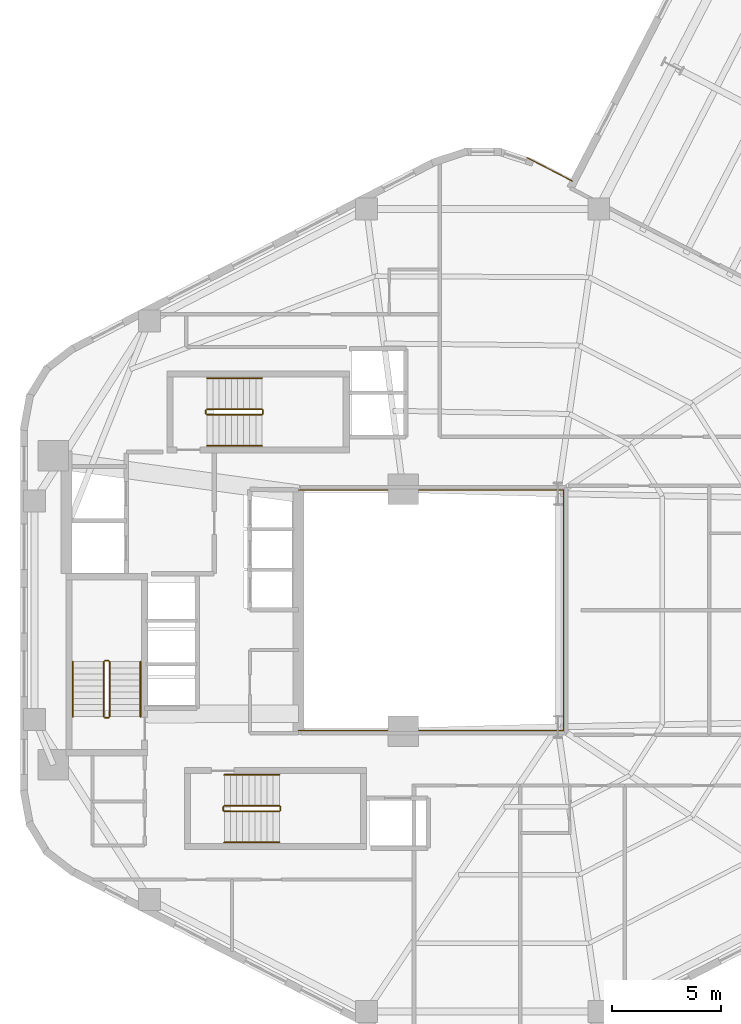
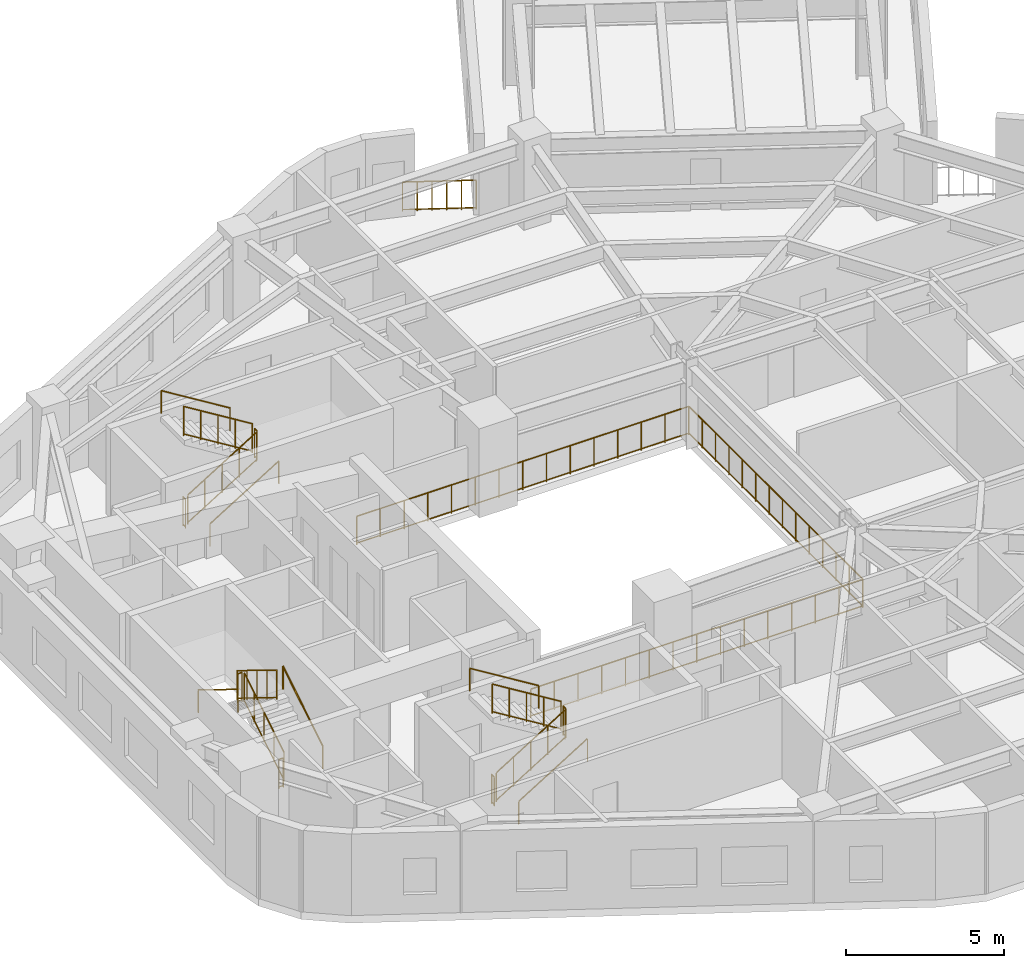
# One storey, part 9 of 10: 20 railings.
"""IFC4 building model written with IfcOpenShell, lengths in metres."""

from ifc_helpers import new_model, si_unit, direction, frame, origin, origin_2d, place, context, subcontext, project, spatial, circle, extrude, material, type_object, element, save


model = new_model("IFC4")

# Units and contexts
model_context = context("Model", 3, precision=1e-05, world=origin(), true_north=direction((0.0, 1.0)))
body_context = subcontext(model_context, "Body", "Model", "MODEL_VIEW")
ifc_project = project(units=[si_unit("LENGTHUNIT", "METRE"), si_unit("AREAUNIT", "SQUARE_METRE"), si_unit("VOLUMEUNIT", "CUBIC_METRE"), si_unit("PLANEANGLEUNIT", "RADIAN"), si_unit("MASSUNIT", "GRAM", prefix="KILO"), si_unit("THERMODYNAMICTEMPERATUREUNIT", "KELVIN"), si_unit("POWERUNIT", "WATT")], contexts=[model_context])

# Site, building, storey
site_placement = place(None, origin())
site = spatial("IfcSite", under=ifc_project, at=site_placement, CompositionType="ELEMENT")
building_placement = place(site_placement, origin())
building = spatial("IfcBuilding", under=site, at=building_placement, Name="Skarre Station Tower", CompositionType="ELEMENT")
storey_placement = place(building_placement, frame((0.0, 0.0, 111.89990234375)))
storey = spatial("IfcBuildingStorey", under=building, at=storey_placement, Name="L29", CompositionType="ELEMENT", Elevation=111.89990234375)

# Railings
ifc_material_1 = material(Name="Bronze Anodized Steel & Laminated Glass Balustrade", Category="steel")
railing_type_1 = type_object("IfcRailingType", Name="Atrium Void & Mezzanine Guard Balustrade 1120", PredefinedType="GUARDRAIL", material=ifc_material_1)
railing_1_placement = place(storey_placement, frame((27.550048828125, 18.47998046875, 0.0)))
element("IfcRailing", 1, at=railing_1_placement, inside=storey, type_object=railing_type_1, Name="L29 Atrium Void Guard Balustrade", PredefinedType="GUARDRAIL", context=body_context, shape_type="SweptSolid", body=[
    extrude(circle(Radius=0.02392578125, at=origin_2d()), frame((0.0, 0.0, 1.09619140625), z_axis=(1.0, 0.0, 0.0), x_axis=(0.0, 1.0, 0.0)), (0.0, 0.0, 1.0), 12.169921875),
    extrude(circle(Radius=0.02099609375, at=origin_2d()), frame((0.0, 0.0, 0.06005859375), z_axis=(1.0, 0.0, 0.0), x_axis=(0.0, 1.0, 0.0)), (0.0, 0.0, 1.0), 12.169921875),
    extrude(circle(Radius=0.02392578125, at=origin_2d()), frame((12.169921875, 0.0, 1.09619140625), z_axis=(0.0, 1.0, 0.0), x_axis=(-1.0, 0.0, 0.0)), (0.0, 0.0, 1.0), 11.0400390625),
    extrude(circle(Radius=0.02099609375, at=origin_2d()), frame((12.169921875, 0.0, 0.06005859375), z_axis=(0.0, 1.0, 0.0), x_axis=(-1.0, 0.0, 0.0)), (0.0, 0.0, 1.0), 11.0400390625),
    extrude(circle(Radius=0.02392578125, at=origin_2d()), frame((12.169921875, 11.0400390625, 1.09619140625), z_axis=(-1.0, 0.0, 0.0), x_axis=(0.0, -1.0, 0.0)), (0.0, 0.0, 1.0), 12.169921875),
    extrude(circle(Radius=0.02099609375, at=origin_2d()), frame((12.169921875, 11.0400390625, 0.06005859375), z_axis=(-1.0, 0.0, 0.0), x_axis=(0.0, -1.0, 0.0)), (0.0, 0.0, 1.0), 12.169921875),
    extrude(circle(Radius=0.02099609375, at=origin_2d()), origin(), (0.0, 0.0, 1.0), 1.072021484375),
    extrude(circle(Radius=0.02099609375, at=origin_2d()), frame((0.869384765625, 0.0, 0.0)), (0.0, 0.0, 1.0), 1.072021484375),
    extrude(circle(Radius=0.02099609375, at=origin_2d()), frame((1.738525390625, 0.0, 0.0)), (0.0, 0.0, 1.0), 1.072021484375),
    extrude(circle(Radius=0.02099609375, at=origin_2d()), frame((2.60791015625, 0.0, 0.0)), (0.0, 0.0, 1.0), 1.072021484375),
    extrude(circle(Radius=0.02099609375, at=origin_2d()), frame((3.47705078125, 0.0, 0.0)), (0.0, 0.0, 1.0), 1.072021484375),
    extrude(circle(Radius=0.02099609375, at=origin_2d()), frame((4.346435546875, 0.0, 0.0)), (0.0, 0.0, 1.0), 1.072021484375),
    extrude(circle(Radius=0.02099609375, at=origin_2d()), frame((5.215576171875, 0.0, 0.0)), (0.0, 0.0, 1.0), 1.072021484375),
    extrude(circle(Radius=0.02099609375, at=origin_2d()), frame((6.0849609375, 0.0, 0.0)), (0.0, 0.0, 1.0), 1.072021484375),
    extrude(circle(Radius=0.02099609375, at=origin_2d()), frame((6.954345703125, 0.0, 0.0)), (0.0, 0.0, 1.0), 1.072021484375),
    extrude(circle(Radius=0.02099609375, at=origin_2d()), frame((7.823486328125, 0.0, 0.0)), (0.0, 0.0, 1.0), 1.072021484375),
    extrude(circle(Radius=0.02099609375, at=origin_2d()), frame((8.69287109375, 0.0, 0.0)), (0.0, 0.0, 1.0), 1.072021484375),
    extrude(circle(Radius=0.02099609375, at=origin_2d()), frame((9.56201171875, 0.0, 0.0)), (0.0, 0.0, 1.0), 1.072021484375),
    extrude(circle(Radius=0.02099609375, at=origin_2d()), frame((10.431396484375, 0.0, 0.0)), (0.0, 0.0, 1.0), 1.072021484375),
    extrude(circle(Radius=0.02099609375, at=origin_2d()), frame((11.300537109375, 0.0, 0.0)), (0.0, 0.0, 1.0), 1.072021484375),
    extrude(circle(Radius=0.02099609375, at=origin_2d()), frame((12.169921875, 0.0, 0.0)), (0.0, 0.0, 1.0), 1.072021484375),
    extrude(circle(Radius=0.02099609375, at=origin_2d()), frame((12.169921875, 0.84912109375, 0.0)), (0.0, 0.0, 1.0), 1.072021484375),
    extrude(circle(Radius=0.02099609375, at=origin_2d()), frame((12.169921875, 1.698486328125, 0.0)), (0.0, 0.0, 1.0), 1.072021484375),
    extrude(circle(Radius=0.02099609375, at=origin_2d()), frame((12.169921875, 2.547607421875, 0.0)), (0.0, 0.0, 1.0), 1.072021484375),
    extrude(circle(Radius=0.02099609375, at=origin_2d()), frame((12.169921875, 3.39697265625, 0.0)), (0.0, 0.0, 1.0), 1.072021484375),
    extrude(circle(Radius=0.02099609375, at=origin_2d()), frame((12.169921875, 4.24609375, 0.0)), (0.0, 0.0, 1.0), 1.072021484375),
    extrude(circle(Radius=0.02099609375, at=origin_2d()), frame((12.169921875, 5.095458984375, 0.0)), (0.0, 0.0, 1.0), 1.072021484375),
    extrude(circle(Radius=0.02099609375, at=origin_2d()), frame((12.169921875, 5.944580078125, 0.0)), (0.0, 0.0, 1.0), 1.072021484375),
    extrude(circle(Radius=0.02099609375, at=origin_2d()), frame((12.169921875, 6.7939453125, 0.0)), (0.0, 0.0, 1.0), 1.072021484375),
    extrude(circle(Radius=0.02099609375, at=origin_2d()), frame((12.169921875, 7.64306640625, 0.0)), (0.0, 0.0, 1.0), 1.072021484375),
    extrude(circle(Radius=0.02099609375, at=origin_2d()), frame((12.169921875, 8.492431640625, 0.0)), (0.0, 0.0, 1.0), 1.072021484375),
    extrude(circle(Radius=0.02099609375, at=origin_2d()), frame((12.169921875, 9.341552734375, 0.0)), (0.0, 0.0, 1.0), 1.072021484375),
    extrude(circle(Radius=0.02099609375, at=origin_2d()), frame((12.169921875, 10.19091796875, 0.0)), (0.0, 0.0, 1.0), 1.072021484375),
    extrude(circle(Radius=0.02099609375, at=origin_2d()), frame((12.169921875, 11.0400390625, 0.0)), (0.0, 0.0, 1.0), 1.072021484375),
    extrude(circle(Radius=0.02099609375, at=origin_2d()), frame((11.300537109375, 11.0400390625, 0.0)), (0.0, 0.0, 1.0), 1.072021484375),
    extrude(circle(Radius=0.02099609375, at=origin_2d()), frame((10.431396484375, 11.0400390625, 0.0)), (0.0, 0.0, 1.0), 1.072021484375),
    extrude(circle(Radius=0.02099609375, at=origin_2d()), frame((9.56201171875, 11.0400390625, 0.0)), (0.0, 0.0, 1.0), 1.072021484375),
    extrude(circle(Radius=0.02099609375, at=origin_2d()), frame((8.69287109375, 11.0400390625, 0.0)), (0.0, 0.0, 1.0), 1.072021484375),
    extrude(circle(Radius=0.02099609375, at=origin_2d()), frame((7.823486328125, 11.0400390625, 0.0)), (0.0, 0.0, 1.0), 1.072021484375),
    extrude(circle(Radius=0.02099609375, at=origin_2d()), frame((6.954345703125, 11.0400390625, 0.0)), (0.0, 0.0, 1.0), 1.072021484375),
    extrude(circle(Radius=0.02099609375, at=origin_2d()), frame((6.0849609375, 11.0400390625, 0.0)), (0.0, 0.0, 1.0), 1.072021484375),
    extrude(circle(Radius=0.02099609375, at=origin_2d()), frame((5.215576171875, 11.0400390625, 0.0)), (0.0, 0.0, 1.0), 1.072021484375),
    extrude(circle(Radius=0.02099609375, at=origin_2d()), frame((4.346435546875, 11.0400390625, 0.0)), (0.0, 0.0, 1.0), 1.072021484375),
    extrude(circle(Radius=0.02099609375, at=origin_2d()), frame((3.47705078125, 11.0400390625, 0.0)), (0.0, 0.0, 1.0), 1.072021484375),
    extrude(circle(Radius=0.02099609375, at=origin_2d()), frame((2.60791015625, 11.0400390625, 0.0)), (0.0, 0.0, 1.0), 1.072021484375),
    extrude(circle(Radius=0.02099609375, at=origin_2d()), frame((1.738525390625, 11.0400390625, 0.0)), (0.0, 0.0, 1.0), 1.072021484375),
    extrude(circle(Radius=0.02099609375, at=origin_2d()), frame((0.869384765625, 11.0400390625, 0.0)), (0.0, 0.0, 1.0), 1.072021484375),
    extrude(circle(Radius=0.02099609375, at=origin_2d()), frame((0.0, 11.0400390625, 0.0)), (0.0, 0.0, 1.0), 1.072021484375),
])
ifc_material_2 = material(Name="Stainless Steel Grade 316L & Laminated Safety Glass", Category="steel")
railing_type_2 = type_object("IfcRailingType", Name="Laminated Glass & Stainless Terrace Guardrail 1150", PredefinedType="BALUSTRADE", material=ifc_material_2)
railing_2_placement = place(storey_placement, frame((38.032958984375, 44.77294921875, 0.0)))
element("IfcRailing", 2, at=railing_2_placement, inside=storey, type_object=railing_type_2, Name="L29 SB-2 Shoulder Ledge Guardrail 1", PredefinedType="BALUSTRADE", context=body_context, shape_type="SweptSolid", body=[
    extrude(circle(Radius=0.02392578125, at=origin_2d()), frame((0.0, 0.0, 1.1259765625), z_axis=(0.888564539427, -0.458751631356, 0.0), x_axis=(0.458751631356, 0.888564539427, 0.0)), (0.0, 0.0, 1.0), 2.345458984375),
    extrude(circle(Radius=0.02099609375, at=origin_2d()), frame((0.0, 0.0, 0.06005859375), z_axis=(0.888564539427, -0.458751631356, 0.0), x_axis=(0.458751631356, 0.888564539427, 0.0)), (0.0, 0.0, 1.0), 2.345458984375),
    extrude(circle(Radius=0.02099609375, at=origin_2d()), origin(), (0.0, 0.0, 1.0), 1.101806640625),
    extrude(circle(Radius=0.02099609375, at=origin_2d()), frame((0.416748046875, -0.215087890625, 0.0)), (0.0, 0.0, 1.0), 1.101806640625),
    extrude(circle(Radius=0.02099609375, at=origin_2d()), frame((0.83349609375, -0.430419921875, 0.0)), (0.0, 0.0, 1.0), 1.101806640625),
    extrude(circle(Radius=0.02099609375, at=origin_2d()), frame((1.25048828125, -0.6455078125, 0.0)), (0.0, 0.0, 1.0), 1.101806640625),
    extrude(circle(Radius=0.02099609375, at=origin_2d()), frame((1.667236328125, -0.86083984375, 0.0)), (0.0, 0.0, 1.0), 1.101806640625),
    extrude(circle(Radius=0.02099609375, at=origin_2d()), frame((2.083984375, -1.075927734375, 0.0)), (0.0, 0.0, 1.0), 1.101806640625),
])
ifc_material_3 = material(Name="Powder-Coated Tubular Steel", Category="steel")
railing_type_3 = type_object("IfcRailingType", Name="Painted Steel Ramp & Stair Handrail 920", PredefinedType="HANDRAIL", material=ifc_material_3)
railing_3_placement = place(storey_placement, frame((20.300048828125, 19.1201171875, 0.172607421875)))
element("IfcRailing", 3, at=railing_3_placement, inside=storey, type_object=railing_type_3, Name="L29 ST-1 stair handrail 1", PredefinedType="HANDRAIL", context=body_context, shape_type="SweptSolid", body=[
    extrude(circle(Radius=0.02392578125, at=origin_2d()), frame((0.0, 0.0, 0.8759765625), z_axis=(0.0, 0.851377800117, 0.52455299205), x_axis=(-1.0, 0.0, 0.0)), (0.0, 0.0, 1.0), 2.959716796875),
    extrude(circle(Radius=0.02099609375, at=origin_2d()), origin(), (0.0, 0.0, 1.0), 0.851806640625),
    extrude(circle(Radius=0.02099609375, at=origin_2d()), frame((0.0, 2.519775390625, 1.552490234375)), (0.0, 0.0, 1.0), 0.851806640625),
])
railing_4_placement = place(storey_placement, frame((17.199951171875, 21.639892578125, 1.897705078125)))
element("IfcRailing", 4, at=railing_4_placement, inside=storey, type_object=railing_type_3, Name="L29 ST-1 stair handrail 2", PredefinedType="HANDRAIL", context=body_context, shape_type="SweptSolid", body=[
    extrude(circle(Radius=0.02392578125, at=origin_2d()), frame((0.0, 0.0, 0.8759765625), z_axis=(0.0, -0.851377800117, 0.52455299205), x_axis=(1.0, 0.0, 0.0)), (0.0, 0.0, 1.0), 2.959716796875),
    extrude(circle(Radius=0.02099609375, at=origin_2d()), origin(), (0.0, 0.0, 1.0), 0.851806640625),
    extrude(circle(Radius=0.02099609375, at=origin_2d()), frame((0.0, -2.519775390625, 1.552490234375)), (0.0, 0.0, 1.0), 0.851806640625),
])
railing_5_placement = place(storey_placement, frame((24.14990234375, 13.35009765625, 0.172607421875)))
element("IfcRailing", 5, at=railing_5_placement, inside=storey, type_object=railing_type_3, Name="L29 ST-2 stair handrail 1", PredefinedType="HANDRAIL", context=body_context, shape_type="SweptSolid", body=[
    extrude(circle(Radius=0.02392578125, at=origin_2d()), frame((0.0, 0.0, 0.8759765625), z_axis=(0.851400495292, 0.0, 0.524516154772), x_axis=(0.0, 1.0, 0.0)), (0.0, 0.0, 1.0), 2.9599609375),
    extrude(circle(Radius=0.02099609375, at=origin_2d()), origin(), (0.0, 0.0, 1.0), 0.851806640625),
    extrude(circle(Radius=0.02099609375, at=origin_2d()), frame((2.52001953125, 0.0, 1.552490234375)), (0.0, 0.0, 1.0), 0.851806640625),
])
railing_6_placement = place(storey_placement, frame((26.669921875, 16.449951171875, 1.897705078125)))
element("IfcRailing", 6, at=railing_6_placement, inside=storey, type_object=railing_type_3, Name="L29 ST-2 stair handrail 2", PredefinedType="HANDRAIL", context=body_context, shape_type="SweptSolid", body=[
    extrude(circle(Radius=0.02392578125, at=origin_2d()), frame((0.0, 0.0, 0.8759765625), z_axis=(-0.851400495292, 0.0, 0.524516154772), x_axis=(0.0, -1.0, 0.0)), (0.0, 0.0, 1.0), 2.9599609375),
    extrude(circle(Radius=0.02099609375, at=origin_2d()), origin(), (0.0, 0.0, 1.0), 0.851806640625),
    extrude(circle(Radius=0.02099609375, at=origin_2d()), frame((-2.52001953125, 0.0, 1.552490234375)), (0.0, 0.0, 1.0), 0.851806640625),
])
railing_7_placement = place(storey_placement, frame((23.35009765625, 31.550048828125, 0.172607421875)))
element("IfcRailing", 7, at=railing_7_placement, inside=storey, type_object=railing_type_3, Name="L29 ST-3 stair handrail 1", PredefinedType="HANDRAIL", context=body_context, shape_type="SweptSolid", body=[
    extrude(circle(Radius=0.02392578125, at=origin_2d()), frame((0.0, 0.0, 0.8759765625), z_axis=(0.851400495292, 0.0, 0.524516154772), x_axis=(0.0, 1.0, 0.0)), (0.0, 0.0, 1.0), 2.9599609375),
    extrude(circle(Radius=0.02099609375, at=origin_2d()), origin(), (0.0, 0.0, 1.0), 0.851806640625),
    extrude(circle(Radius=0.02099609375, at=origin_2d()), frame((2.52001953125, 0.0, 1.552490234375)), (0.0, 0.0, 1.0), 0.851806640625),
])
railing_8_placement = place(storey_placement, frame((25.8701171875, 34.64990234375, 1.897705078125)))
element("IfcRailing", 8, at=railing_8_placement, inside=storey, type_object=railing_type_3, Name="L29 ST-3 stair handrail 2", PredefinedType="HANDRAIL", context=body_context, shape_type="SweptSolid", body=[
    extrude(circle(Radius=0.02392578125, at=origin_2d()), frame((0.0, 0.0, 0.8759765625), z_axis=(-0.851400495292, 0.0, 0.524516154772), x_axis=(0.0, -1.0, 0.0)), (0.0, 0.0, 1.0), 2.9599609375),
    extrude(circle(Radius=0.02099609375, at=origin_2d()), origin(), (0.0, 0.0, 1.0), 0.851806640625),
    extrude(circle(Radius=0.02099609375, at=origin_2d()), frame((-2.52001953125, 0.0, 1.552490234375)), (0.0, 0.0, 1.0), 0.851806640625),
])
railing_type_4 = type_object("IfcRailingType", Name="Painted Steel Stairwell Guardrail 1100", PredefinedType="GUARDRAIL", material=ifc_material_3)
railing_9_placement = place(storey_placement, frame((18.8798828125, 19.1201171875, 0.172607421875)))
element("IfcRailing", 9, at=railing_9_placement, inside=storey, type_object=railing_type_4, Name="L29 ST-1 stair guard 1", PredefinedType="GUARDRAIL", context=body_context, shape_type="SweptSolid", body=[
    extrude(circle(Radius=0.02392578125, at=origin_2d()), frame((0.0, 0.0, 1.1259765625), z_axis=(0.0, 0.851377800117, 0.52455299205), x_axis=(-1.0, 0.0, 0.0)), (0.0, 0.0, 1.0), 2.959716796875),
    extrude(circle(Radius=0.02099609375, at=origin_2d()), frame((0.0, 0.0, 0.06005859375), z_axis=(0.0, 0.851377800117, 0.52455299205), x_axis=(-1.0, 0.0, 0.0)), (0.0, 0.0, 1.0), 2.959716796875),
    extrude(circle(Radius=0.02099609375, at=origin_2d()), origin(), (0.0, 0.0, 1.0), 1.101806640625),
    extrude(circle(Radius=0.02099609375, at=origin_2d()), frame((0.0, 0.6298828125, 0.38818359375)), (0.0, 0.0, 1.0), 1.101806640625),
    extrude(circle(Radius=0.02099609375, at=origin_2d()), frame((0.0, 1.259765625, 0.7763671875)), (0.0, 0.0, 1.0), 1.101806640625),
    extrude(circle(Radius=0.02099609375, at=origin_2d()), frame((0.0, 1.889892578125, 1.164306640625)), (0.0, 0.0, 1.0), 1.101806640625),
    extrude(circle(Radius=0.02099609375, at=origin_2d()), frame((0.0, 2.519775390625, 1.552490234375)), (0.0, 0.0, 1.0), 1.101806640625),
])
railing_10_placement = place(storey_placement, frame((18.830078125, 21.68994140625, 1.72509765625)))
element("IfcRailing", 10, at=railing_10_placement, inside=storey, type_object=railing_type_4, Name="L29 ST-1 stair guard 2", PredefinedType="GUARDRAIL", context=body_context, shape_type="SweptSolid", body=[
    extrude(circle(Radius=0.02392578125, at=origin_2d()), frame((0.0, 0.0, 1.1259765625), z_axis=(-1.0, 0.0, 0.0), x_axis=(0.0, -1.0, 0.0)), (0.0, 0.0, 1.0), 0.16015625),
    extrude(circle(Radius=0.02099609375, at=origin_2d()), frame((0.0, 0.0, 0.06005859375), z_axis=(-1.0, 0.0, 0.0), x_axis=(0.0, -1.0, 0.0)), (0.0, 0.0, 1.0), 0.16015625),
    extrude(circle(Radius=0.02099609375, at=origin_2d()), origin(), (0.0, 0.0, 1.0), 1.101806640625),
    extrude(circle(Radius=0.02099609375, at=origin_2d()), frame((-0.16015625, 0.0, 0.0)), (0.0, 0.0, 1.0), 1.101806640625),
])
railing_11_placement = place(storey_placement, frame((18.6201171875, 21.639892578125, 1.897705078125)))
element("IfcRailing", 11, at=railing_11_placement, inside=storey, type_object=railing_type_4, Name="L29 ST-1 stair guard 3", PredefinedType="GUARDRAIL", context=body_context, shape_type="SweptSolid", body=[
    extrude(circle(Radius=0.02392578125, at=origin_2d()), frame((0.0, 0.0, 1.1259765625), z_axis=(0.0, -0.851377800117, 0.52455299205), x_axis=(1.0, 0.0, 0.0)), (0.0, 0.0, 1.0), 2.959716796875),
    extrude(circle(Radius=0.02099609375, at=origin_2d()), frame((0.0, 0.0, 0.06005859375), z_axis=(0.0, -0.851377800117, 0.52455299205), x_axis=(1.0, 0.0, 0.0)), (0.0, 0.0, 1.0), 2.959716796875),
    extrude(circle(Radius=0.02099609375, at=origin_2d()), origin(), (0.0, 0.0, 1.0), 1.101806640625),
    extrude(circle(Radius=0.02099609375, at=origin_2d()), frame((0.0, -0.6298828125, 0.38818359375)), (0.0, 0.0, 1.0), 1.101806640625),
    extrude(circle(Radius=0.02099609375, at=origin_2d()), frame((0.0, -1.259765625, 0.7763671875)), (0.0, 0.0, 1.0), 1.101806640625),
    extrude(circle(Radius=0.02099609375, at=origin_2d()), frame((0.0, -1.889892578125, 1.164306640625)), (0.0, 0.0, 1.0), 1.101806640625),
    extrude(circle(Radius=0.02099609375, at=origin_2d()), frame((0.0, -2.519775390625, 1.552490234375)), (0.0, 0.0, 1.0), 1.101806640625),
])
railing_12_placement = place(storey_placement, frame((18.830078125, 19.070068359375, 0.0)))
element("IfcRailing", 12, at=railing_12_placement, inside=storey, type_object=railing_type_4, Name="L29 ST-1 stair guard 4", PredefinedType="GUARDRAIL", context=body_context, shape_type="SweptSolid", body=[
    extrude(circle(Radius=0.02392578125, at=origin_2d()), frame((0.0, 0.0, 1.1259765625), z_axis=(-1.0, 0.0, 0.0), x_axis=(0.0, -1.0, 0.0)), (0.0, 0.0, 1.0), 0.16015625),
    extrude(circle(Radius=0.02099609375, at=origin_2d()), frame((0.0, 0.0, 0.06005859375), z_axis=(-1.0, 0.0, 0.0), x_axis=(0.0, -1.0, 0.0)), (0.0, 0.0, 1.0), 0.16015625),
    extrude(circle(Radius=0.02099609375, at=origin_2d()), origin(), (0.0, 0.0, 1.0), 1.101806640625),
    extrude(circle(Radius=0.02099609375, at=origin_2d()), frame((-0.16015625, 0.0, 0.0)), (0.0, 0.0, 1.0), 1.101806640625),
])
railing_13_placement = place(storey_placement, frame((24.14990234375, 14.77001953125, 0.172607421875)))
element("IfcRailing", 13, at=railing_13_placement, inside=storey, type_object=railing_type_4, Name="L29 ST-2 stair guard 1", PredefinedType="GUARDRAIL", context=body_context, shape_type="SweptSolid", body=[
    extrude(circle(Radius=0.02392578125, at=origin_2d()), frame((0.0, 0.0, 1.1259765625), z_axis=(0.851400495292, 0.0, 0.524516154772), x_axis=(0.0, 1.0, 0.0)), (0.0, 0.0, 1.0), 2.9599609375),
    extrude(circle(Radius=0.02099609375, at=origin_2d()), frame((0.0, 0.0, 0.06005859375), z_axis=(0.851400495292, 0.0, 0.524516154772), x_axis=(0.0, 1.0, 0.0)), (0.0, 0.0, 1.0), 2.9599609375),
    extrude(circle(Radius=0.02099609375, at=origin_2d()), origin(), (0.0, 0.0, 1.0), 1.101806640625),
    extrude(circle(Radius=0.02099609375, at=origin_2d()), frame((0.6298828125, 0.0, 0.38818359375)), (0.0, 0.0, 1.0), 1.101806640625),
    extrude(circle(Radius=0.02099609375, at=origin_2d()), frame((1.260009765625, 0.0, 0.7763671875)), (0.0, 0.0, 1.0), 1.101806640625),
    extrude(circle(Radius=0.02099609375, at=origin_2d()), frame((1.89013671875, 0.0, 1.164306640625)), (0.0, 0.0, 1.0), 1.101806640625),
    extrude(circle(Radius=0.02099609375, at=origin_2d()), frame((2.52001953125, 0.0, 1.552490234375)), (0.0, 0.0, 1.0), 1.101806640625),
])
railing_14_placement = place(storey_placement, frame((26.719970703125, 14.820068359375, 1.72509765625)))
element("IfcRailing", 14, at=railing_14_placement, inside=storey, type_object=railing_type_4, Name="L29 ST-2 stair guard 2", PredefinedType="GUARDRAIL", context=body_context, shape_type="SweptSolid", body=[
    extrude(circle(Radius=0.02392578125, at=origin_2d()), frame((0.0, 0.0, 1.1259765625), z_axis=(0.0, 1.0, 0.0), x_axis=(-1.0, 0.0, 0.0)), (0.0, 0.0, 1.0), 0.159912109375),
    extrude(circle(Radius=0.02099609375, at=origin_2d()), frame((0.0, 0.0, 0.06005859375), z_axis=(0.0, 1.0, 0.0), x_axis=(-1.0, 0.0, 0.0)), (0.0, 0.0, 1.0), 0.159912109375),
    extrude(circle(Radius=0.02099609375, at=origin_2d()), origin(), (0.0, 0.0, 1.0), 1.101806640625),
    extrude(circle(Radius=0.02099609375, at=origin_2d()), frame((0.0, 0.159912109375, 0.0)), (0.0, 0.0, 1.0), 1.101806640625),
])
railing_15_placement = place(storey_placement, frame((26.669921875, 15.030029296875, 1.897705078125)))
element("IfcRailing", 15, at=railing_15_placement, inside=storey, type_object=railing_type_4, Name="L29 ST-2 stair guard 3", PredefinedType="GUARDRAIL", context=body_context, shape_type="SweptSolid", body=[
    extrude(circle(Radius=0.02392578125, at=origin_2d()), frame((0.0, 0.0, 1.1259765625), z_axis=(-0.851400495292, 0.0, 0.524516154772), x_axis=(0.0, -1.0, 0.0)), (0.0, 0.0, 1.0), 2.9599609375),
    extrude(circle(Radius=0.02099609375, at=origin_2d()), frame((0.0, 0.0, 0.06005859375), z_axis=(-0.851400495292, 0.0, 0.524516154772), x_axis=(0.0, -1.0, 0.0)), (0.0, 0.0, 1.0), 2.9599609375),
    extrude(circle(Radius=0.02099609375, at=origin_2d()), origin(), (0.0, 0.0, 1.0), 1.101806640625),
    extrude(circle(Radius=0.02099609375, at=origin_2d()), frame((-0.6298828125, 0.0, 0.38818359375)), (0.0, 0.0, 1.0), 1.101806640625),
    extrude(circle(Radius=0.02099609375, at=origin_2d()), frame((-1.260009765625, 0.0, 0.7763671875)), (0.0, 0.0, 1.0), 1.101806640625),
    extrude(circle(Radius=0.02099609375, at=origin_2d()), frame((-1.89013671875, 0.0, 1.164306640625)), (0.0, 0.0, 1.0), 1.101806640625),
    extrude(circle(Radius=0.02099609375, at=origin_2d()), frame((-2.52001953125, 0.0, 1.552490234375)), (0.0, 0.0, 1.0), 1.101806640625),
])
railing_16_placement = place(storey_placement, frame((24.10009765625, 14.820068359375, 0.0)))
element("IfcRailing", 16, at=railing_16_placement, inside=storey, type_object=railing_type_4, Name="L29 ST-2 stair guard 4", PredefinedType="GUARDRAIL", context=body_context, shape_type="SweptSolid", body=[
    extrude(circle(Radius=0.02392578125, at=origin_2d()), frame((0.0, 0.0, 1.1259765625), z_axis=(0.0, 1.0, 0.0), x_axis=(-1.0, 0.0, 0.0)), (0.0, 0.0, 1.0), 0.159912109375),
    extrude(circle(Radius=0.02099609375, at=origin_2d()), frame((0.0, 0.0, 0.06005859375), z_axis=(0.0, 1.0, 0.0), x_axis=(-1.0, 0.0, 0.0)), (0.0, 0.0, 1.0), 0.159912109375),
    extrude(circle(Radius=0.02099609375, at=origin_2d()), origin(), (0.0, 0.0, 1.0), 1.101806640625),
    extrude(circle(Radius=0.02099609375, at=origin_2d()), frame((0.0, 0.159912109375, 0.0)), (0.0, 0.0, 1.0), 1.101806640625),
])
railing_17_placement = place(storey_placement, frame((23.35009765625, 32.969970703125, 0.172607421875)))
element("IfcRailing", 17, at=railing_17_placement, inside=storey, type_object=railing_type_4, Name="L29 ST-3 stair guard 1", PredefinedType="GUARDRAIL", context=body_context, shape_type="SweptSolid", body=[
    extrude(circle(Radius=0.02392578125, at=origin_2d()), frame((0.0, 0.0, 1.1259765625), z_axis=(0.851400495292, 0.0, 0.524516154772), x_axis=(0.0, 1.0, 0.0)), (0.0, 0.0, 1.0), 2.9599609375),
    extrude(circle(Radius=0.02099609375, at=origin_2d()), frame((0.0, 0.0, 0.06005859375), z_axis=(0.851400495292, 0.0, 0.524516154772), x_axis=(0.0, 1.0, 0.0)), (0.0, 0.0, 1.0), 2.9599609375),
    extrude(circle(Radius=0.02099609375, at=origin_2d()), origin(), (0.0, 0.0, 1.0), 1.101806640625),
    extrude(circle(Radius=0.02099609375, at=origin_2d()), frame((0.6298828125, 0.0, 0.38818359375)), (0.0, 0.0, 1.0), 1.101806640625),
    extrude(circle(Radius=0.02099609375, at=origin_2d()), frame((1.260009765625, 0.0, 0.7763671875)), (0.0, 0.0, 1.0), 1.101806640625),
    extrude(circle(Radius=0.02099609375, at=origin_2d()), frame((1.89013671875, 0.0, 1.164306640625)), (0.0, 0.0, 1.0), 1.101806640625),
    extrude(circle(Radius=0.02099609375, at=origin_2d()), frame((2.52001953125, 0.0, 1.552490234375)), (0.0, 0.0, 1.0), 1.101806640625),
])
railing_18_placement = place(storey_placement, frame((25.919921875, 33.02001953125, 1.72509765625)))
element("IfcRailing", 18, at=railing_18_placement, inside=storey, type_object=railing_type_4, Name="L29 ST-3 stair guard 2", PredefinedType="GUARDRAIL", context=body_context, shape_type="SweptSolid", body=[
    extrude(circle(Radius=0.02392578125, at=origin_2d()), frame((0.0, 0.0, 1.1259765625), z_axis=(0.0, 1.0, 0.0), x_axis=(-1.0, 0.0, 0.0)), (0.0, 0.0, 1.0), 0.159912109375),
    extrude(circle(Radius=0.02099609375, at=origin_2d()), frame((0.0, 0.0, 0.06005859375), z_axis=(0.0, 1.0, 0.0), x_axis=(-1.0, 0.0, 0.0)), (0.0, 0.0, 1.0), 0.159912109375),
    extrude(circle(Radius=0.02099609375, at=origin_2d()), origin(), (0.0, 0.0, 1.0), 1.101806640625),
    extrude(circle(Radius=0.02099609375, at=origin_2d()), frame((0.0, 0.159912109375, 0.0)), (0.0, 0.0, 1.0), 1.101806640625),
])
railing_19_placement = place(storey_placement, frame((25.8701171875, 33.22998046875, 1.897705078125)))
element("IfcRailing", 19, at=railing_19_placement, inside=storey, type_object=railing_type_4, Name="L29 ST-3 stair guard 3", PredefinedType="GUARDRAIL", context=body_context, shape_type="SweptSolid", body=[
    extrude(circle(Radius=0.02392578125, at=origin_2d()), frame((0.0, 0.0, 1.1259765625), z_axis=(-0.851400495292, 0.0, 0.524516154772), x_axis=(0.0, -1.0, 0.0)), (0.0, 0.0, 1.0), 2.9599609375),
    extrude(circle(Radius=0.02099609375, at=origin_2d()), frame((0.0, 0.0, 0.06005859375), z_axis=(-0.851400495292, 0.0, 0.524516154772), x_axis=(0.0, -1.0, 0.0)), (0.0, 0.0, 1.0), 2.9599609375),
    extrude(circle(Radius=0.02099609375, at=origin_2d()), origin(), (0.0, 0.0, 1.0), 1.101806640625),
    extrude(circle(Radius=0.02099609375, at=origin_2d()), frame((-0.6298828125, 0.0, 0.38818359375)), (0.0, 0.0, 1.0), 1.101806640625),
    extrude(circle(Radius=0.02099609375, at=origin_2d()), frame((-1.260009765625, 0.0, 0.7763671875)), (0.0, 0.0, 1.0), 1.101806640625),
    extrude(circle(Radius=0.02099609375, at=origin_2d()), frame((-1.89013671875, 0.0, 1.164306640625)), (0.0, 0.0, 1.0), 1.101806640625),
    extrude(circle(Radius=0.02099609375, at=origin_2d()), frame((-2.52001953125, 0.0, 1.552490234375)), (0.0, 0.0, 1.0), 1.101806640625),
])
railing_20_placement = place(storey_placement, frame((23.300048828125, 33.02001953125, 0.0)))
element("IfcRailing", 20, at=railing_20_placement, inside=storey, type_object=railing_type_4, Name="L29 ST-3 stair guard 4", PredefinedType="GUARDRAIL", context=body_context, shape_type="SweptSolid", body=[
    extrude(circle(Radius=0.02392578125, at=origin_2d()), frame((0.0, 0.0, 1.1259765625), z_axis=(0.0, 1.0, 0.0), x_axis=(-1.0, 0.0, 0.0)), (0.0, 0.0, 1.0), 0.159912109375),
    extrude(circle(Radius=0.02099609375, at=origin_2d()), frame((0.0, 0.0, 0.06005859375), z_axis=(0.0, 1.0, 0.0), x_axis=(-1.0, 0.0, 0.0)), (0.0, 0.0, 1.0), 0.159912109375),
    extrude(circle(Radius=0.02099609375, at=origin_2d()), origin(), (0.0, 0.0, 1.0), 1.101806640625),
    extrude(circle(Radius=0.02099609375, at=origin_2d()), frame((0.0, 0.159912109375, 0.0)), (0.0, 0.0, 1.0), 1.101806640625),
])

save(model, "model.ifc")
